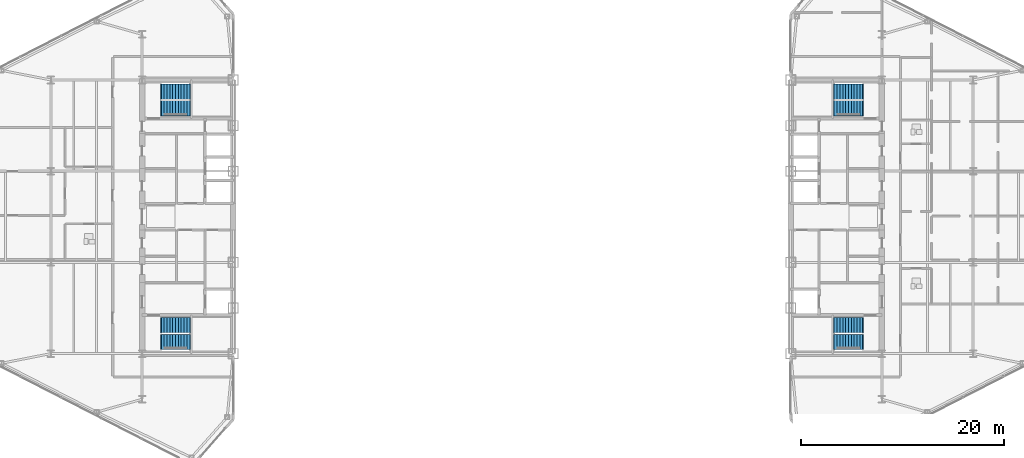
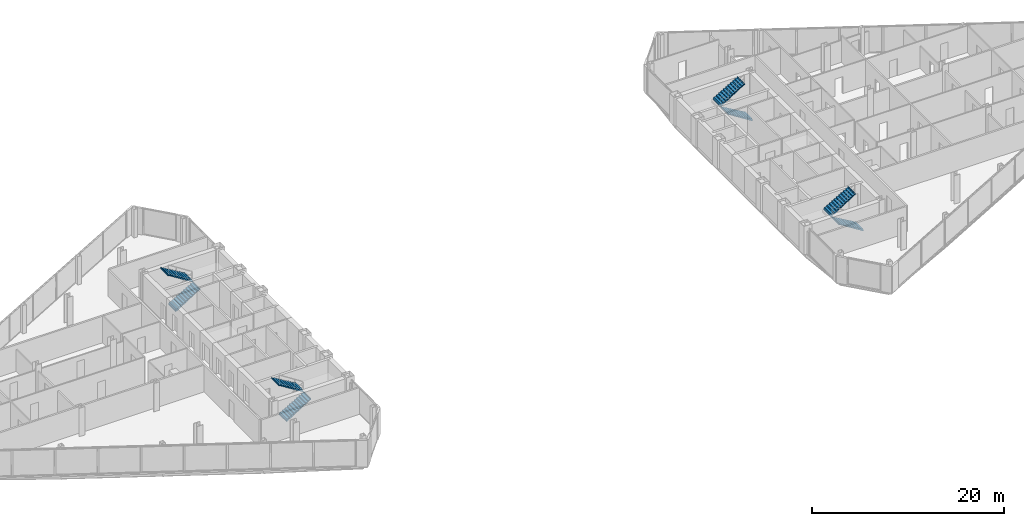
# One storey, part 20 of 22: 8 stair flights, 4 elements without a shape of their own.
"""IFC4 building model written with IfcOpenShell, lengths in metres."""

from ifc_helpers import new_model, si_unit, direction, frame, origin, place, context, subcontext, project, spatial, polyline, outline, extrude, material, type_object, element, aggregate, save


model = new_model("IFC4")

# Units and contexts
model_context = context("Model", 3, precision=1e-05, world=origin(), true_north=direction((0.0, 1.0)))
body_context = subcontext(model_context, "Body", "Model", "MODEL_VIEW")
ifc_project = project(units=[si_unit("LENGTHUNIT", "METRE"), si_unit("AREAUNIT", "SQUARE_METRE"), si_unit("VOLUMEUNIT", "CUBIC_METRE"), si_unit("PLANEANGLEUNIT", "RADIAN"), si_unit("MASSUNIT", "GRAM", prefix="KILO")], contexts=[model_context])

# Site, building, storey
site_placement = place(None, origin())
site = spatial("IfcSite", under=ifc_project, at=site_placement, CompositionType="ELEMENT")
building_placement = place(site_placement, origin())
building = spatial("IfcBuilding", under=site, at=building_placement, Name="Seokmaru Belvedere", CompositionType="ELEMENT")
storey_placement = place(building_placement, frame((0.0, 0.0, 151.199951171875)))
storey = spatial("IfcBuildingStorey", under=building, at=storey_placement, Name="L40", CompositionType="ELEMENT", Elevation=151.199951171875)

# Stair, stair flights
ifc_material = material(Name="Concrete C40 (40 MPa)", Category="concrete")
stair_type = type_object("IfcStairType", Name="Typical Tower Core Dog-Leg Stair 3600", PredefinedType="TWO_STRAIGHT_RUN_STAIR", material=ifc_material)
stair_1_placement = place(storey_placement, origin())
stair_1 = element("IfcStair", 1, at=stair_1_placement, inside=storey, type_object=stair_type, Name="L40 Special Escape Stair ST-W1", PredefinedType="TWO_STRAIGHT_RUN_STAIR")
stair_flight_type = type_object("IfcStairFlightType", Name="Reinforced Concrete Stair Flight 1500", PredefinedType="STRAIGHT", material=ifc_material)
stair_flight_1_placement = place(storey_placement, frame((-34.60009765625, -12.35009765625, 0.0), z_axis=(0.0, 0.0, 1.0), x_axis=(1.0, 0.0, 0.0)))
stair_flight_1 = element("IfcStairFlight", 2, at=stair_flight_1_placement, type_object=stair_flight_type, Name="ST-W1 flight 1", NumberOfRisers=11, NumberOfTreads=10, PredefinedType="STRAIGHT", RiserHeight=0.163636364, TreadLength=0.28, context=body_context, shape_type="SweptSolid", body=[
    extrude(outline(polyline([(-0.080078125, 0.0), (0.0, 0.16357421875), (0.280029296875, 0.16357421875), (0.280029296875, 0.327392578125), (0.56005859375, 0.327392578125), (0.56005859375, 0.490966796875), (0.840087890625, 0.490966796875), (0.840087890625, 0.654541015625), (1.1201171875, 0.654541015625), (1.1201171875, 0.818115234375), (1.39990234375, 0.818115234375), (1.39990234375, 0.98193359375), (1.679931640625, 0.98193359375), (1.679931640625, 1.1455078125), (1.9599609375, 1.1455078125), (1.9599609375, 1.30908203125), (2.239990234375, 1.30908203125), (2.239990234375, 1.47265625), (2.52001953125, 1.47265625), (2.52001953125, 1.636474609375), (2.800048828125, 1.636474609375), (2.800048828125, 1.800048828125), (2.8798828125, 1.800048828125), (2.8798828125, 1.610107421875), (2.800048828125, 1.610107421875), (0.0, -0.159912109375), (-0.080078125, -0.159912109375), (-0.080078125, 0.0)])), frame((0.0, 0.75, 0.0), z_axis=(0.0, -1.0, 0.0), x_axis=(1.0, 0.0, 0.0)), (0.0, 0.0, 1.0), 1.5),
])
stair_flight_2_placement = place(storey_placement, frame((-31.800048828125, -10.7099609375, 1.800048828125), z_axis=(0.0, 0.0, 1.0), x_axis=(-1.0, 0.0, 0.0)))
stair_flight_2 = element("IfcStairFlight", 3, at=stair_flight_2_placement, type_object=stair_flight_type, Name="ST-W1 flight 2", NumberOfRisers=11, NumberOfTreads=10, PredefinedType="STRAIGHT", RiserHeight=0.163636364, TreadLength=0.28, context=body_context, shape_type="SweptSolid", body=[
    extrude(outline(polyline([(-0.080078125, 0.0), (0.0, 0.16357421875), (0.280029296875, 0.16357421875), (0.280029296875, 0.327392578125), (0.56005859375, 0.327392578125), (0.56005859375, 0.490966796875), (0.840087890625, 0.490966796875), (0.840087890625, 0.654541015625), (1.1201171875, 0.654541015625), (1.1201171875, 0.818115234375), (1.39990234375, 0.818115234375), (1.39990234375, 0.98193359375), (1.679931640625, 0.98193359375), (1.679931640625, 1.1455078125), (1.9599609375, 1.1455078125), (1.9599609375, 1.30908203125), (2.239990234375, 1.30908203125), (2.239990234375, 1.47265625), (2.52001953125, 1.47265625), (2.52001953125, 1.636474609375), (2.800048828125, 1.636474609375), (2.800048828125, 1.800048828125), (2.8798828125, 1.800048828125), (2.8798828125, 1.610107421875), (2.800048828125, 1.610107421875), (0.0, -0.159912109375), (-0.080078125, -0.159912109375), (-0.080078125, 0.0)])), frame((0.0, 0.75, 0.0), z_axis=(0.0, -1.0, 0.0), x_axis=(1.0, 0.0, 0.0)), (0.0, 0.0, 1.0), 1.5),
])
aggregate(stair_1, [stair_flight_1, stair_flight_2])

stair_2_placement = place(storey_placement, origin())
stair_2 = element("IfcStair", 4, at=stair_2_placement, inside=storey, type_object=stair_type, Name="L40 Special Escape Stair ST-W2", PredefinedType="TWO_STRAIGHT_RUN_STAIR")
stair_flight_3_placement = place(storey_placement, frame((-34.60009765625, 10.7099609375, 0.0), z_axis=(0.0, 0.0, 1.0), x_axis=(1.0, 0.0, 0.0)))
stair_flight_3 = element("IfcStairFlight", 5, at=stair_flight_3_placement, type_object=stair_flight_type, Name="ST-W2 flight 1", NumberOfRisers=11, NumberOfTreads=10, PredefinedType="STRAIGHT", RiserHeight=0.163636364, TreadLength=0.28, context=body_context, shape_type="SweptSolid", body=[
    extrude(outline(polyline([(-0.080078125, 0.0), (0.0, 0.16357421875), (0.280029296875, 0.16357421875), (0.280029296875, 0.327392578125), (0.56005859375, 0.327392578125), (0.56005859375, 0.490966796875), (0.840087890625, 0.490966796875), (0.840087890625, 0.654541015625), (1.1201171875, 0.654541015625), (1.1201171875, 0.818115234375), (1.39990234375, 0.818115234375), (1.39990234375, 0.98193359375), (1.679931640625, 0.98193359375), (1.679931640625, 1.1455078125), (1.9599609375, 1.1455078125), (1.9599609375, 1.30908203125), (2.239990234375, 1.30908203125), (2.239990234375, 1.47265625), (2.52001953125, 1.47265625), (2.52001953125, 1.636474609375), (2.800048828125, 1.636474609375), (2.800048828125, 1.800048828125), (2.8798828125, 1.800048828125), (2.8798828125, 1.610107421875), (2.800048828125, 1.610107421875), (0.0, -0.159912109375), (-0.080078125, -0.159912109375), (-0.080078125, 0.0)])), frame((0.0, 0.75, 0.0), z_axis=(0.0, -1.0, 0.0), x_axis=(1.0, 0.0, 0.0)), (0.0, 0.0, 1.0), 1.5),
])
stair_flight_4_placement = place(storey_placement, frame((-31.800048828125, 12.35009765625, 1.800048828125), z_axis=(0.0, 0.0, 1.0), x_axis=(-1.0, 0.0, 0.0)))
stair_flight_4 = element("IfcStairFlight", 6, at=stair_flight_4_placement, type_object=stair_flight_type, Name="ST-W2 flight 2", NumberOfRisers=11, NumberOfTreads=10, PredefinedType="STRAIGHT", RiserHeight=0.163636364, TreadLength=0.28, context=body_context, shape_type="SweptSolid", body=[
    extrude(outline(polyline([(-0.080078125, 0.0), (0.0, 0.16357421875), (0.280029296875, 0.16357421875), (0.280029296875, 0.327392578125), (0.56005859375, 0.327392578125), (0.56005859375, 0.490966796875), (0.840087890625, 0.490966796875), (0.840087890625, 0.654541015625), (1.1201171875, 0.654541015625), (1.1201171875, 0.818115234375), (1.39990234375, 0.818115234375), (1.39990234375, 0.98193359375), (1.679931640625, 0.98193359375), (1.679931640625, 1.1455078125), (1.9599609375, 1.1455078125), (1.9599609375, 1.30908203125), (2.239990234375, 1.30908203125), (2.239990234375, 1.47265625), (2.52001953125, 1.47265625), (2.52001953125, 1.636474609375), (2.800048828125, 1.636474609375), (2.800048828125, 1.800048828125), (2.8798828125, 1.800048828125), (2.8798828125, 1.610107421875), (2.800048828125, 1.610107421875), (0.0, -0.159912109375), (-0.080078125, -0.159912109375), (-0.080078125, 0.0)])), frame((0.0, 0.75, 0.0), z_axis=(0.0, -1.0, 0.0), x_axis=(1.0, 0.0, 0.0)), (0.0, 0.0, 1.0), 1.5),
])
aggregate(stair_2, [stair_flight_3, stair_flight_4])

stair_3_placement = place(storey_placement, origin())
stair_3 = element("IfcStair", 7, at=stair_3_placement, inside=storey, type_object=stair_type, Name="L40 Special Escape Stair ST-E1", PredefinedType="TWO_STRAIGHT_RUN_STAIR")
stair_flight_5_placement = place(storey_placement, frame((34.60009765625, -12.35009765625, 0.0), z_axis=(0.0, 0.0, 1.0), x_axis=(-1.0, 0.0, 0.0)))
stair_flight_5 = element("IfcStairFlight", 8, at=stair_flight_5_placement, type_object=stair_flight_type, Name="ST-E1 flight 1", NumberOfRisers=11, NumberOfTreads=10, PredefinedType="STRAIGHT", RiserHeight=0.163636364, TreadLength=0.28, context=body_context, shape_type="SweptSolid", body=[
    extrude(outline(polyline([(-0.080078125, 0.0), (0.0, 0.16357421875), (0.280029296875, 0.16357421875), (0.280029296875, 0.327392578125), (0.56005859375, 0.327392578125), (0.56005859375, 0.490966796875), (0.840087890625, 0.490966796875), (0.840087890625, 0.654541015625), (1.1201171875, 0.654541015625), (1.1201171875, 0.818115234375), (1.39990234375, 0.818115234375), (1.39990234375, 0.98193359375), (1.679931640625, 0.98193359375), (1.679931640625, 1.1455078125), (1.9599609375, 1.1455078125), (1.9599609375, 1.30908203125), (2.239990234375, 1.30908203125), (2.239990234375, 1.47265625), (2.52001953125, 1.47265625), (2.52001953125, 1.636474609375), (2.800048828125, 1.636474609375), (2.800048828125, 1.800048828125), (2.8798828125, 1.800048828125), (2.8798828125, 1.610107421875), (2.800048828125, 1.610107421875), (0.0, -0.159912109375), (-0.080078125, -0.159912109375), (-0.080078125, 0.0)])), frame((0.0, 0.75, 0.0), z_axis=(0.0, -1.0, 0.0), x_axis=(1.0, 0.0, 0.0)), (0.0, 0.0, 1.0), 1.5),
])
stair_flight_6_placement = place(storey_placement, frame((31.800048828125, -10.7099609375, 1.800048828125), z_axis=(0.0, 0.0, 1.0), x_axis=(1.0, 0.0, 0.0)))
stair_flight_6 = element("IfcStairFlight", 9, at=stair_flight_6_placement, type_object=stair_flight_type, Name="ST-E1 flight 2", NumberOfRisers=11, NumberOfTreads=10, PredefinedType="STRAIGHT", RiserHeight=0.163636364, TreadLength=0.28, context=body_context, shape_type="SweptSolid", body=[
    extrude(outline(polyline([(-0.080078125, 0.0), (0.0, 0.16357421875), (0.280029296875, 0.16357421875), (0.280029296875, 0.327392578125), (0.56005859375, 0.327392578125), (0.56005859375, 0.490966796875), (0.840087890625, 0.490966796875), (0.840087890625, 0.654541015625), (1.1201171875, 0.654541015625), (1.1201171875, 0.818115234375), (1.39990234375, 0.818115234375), (1.39990234375, 0.98193359375), (1.679931640625, 0.98193359375), (1.679931640625, 1.1455078125), (1.9599609375, 1.1455078125), (1.9599609375, 1.30908203125), (2.239990234375, 1.30908203125), (2.239990234375, 1.47265625), (2.52001953125, 1.47265625), (2.52001953125, 1.636474609375), (2.800048828125, 1.636474609375), (2.800048828125, 1.800048828125), (2.8798828125, 1.800048828125), (2.8798828125, 1.610107421875), (2.800048828125, 1.610107421875), (0.0, -0.159912109375), (-0.080078125, -0.159912109375), (-0.080078125, 0.0)])), frame((0.0, 0.75, 0.0), z_axis=(0.0, -1.0, 0.0), x_axis=(1.0, 0.0, 0.0)), (0.0, 0.0, 1.0), 1.5),
])
aggregate(stair_3, [stair_flight_5, stair_flight_6])

stair_4_placement = place(storey_placement, origin())
stair_4 = element("IfcStair", 10, at=stair_4_placement, inside=storey, type_object=stair_type, Name="L40 Special Escape Stair ST-E2", PredefinedType="TWO_STRAIGHT_RUN_STAIR")
stair_flight_7_placement = place(storey_placement, frame((34.60009765625, 10.7099609375, 0.0), z_axis=(0.0, 0.0, 1.0), x_axis=(-1.0, 0.0, 0.0)))
stair_flight_7 = element("IfcStairFlight", 11, at=stair_flight_7_placement, type_object=stair_flight_type, Name="ST-E2 flight 1", NumberOfRisers=11, NumberOfTreads=10, PredefinedType="STRAIGHT", RiserHeight=0.163636364, TreadLength=0.28, context=body_context, shape_type="SweptSolid", body=[
    extrude(outline(polyline([(-0.080078125, 0.0), (0.0, 0.16357421875), (0.280029296875, 0.16357421875), (0.280029296875, 0.327392578125), (0.56005859375, 0.327392578125), (0.56005859375, 0.490966796875), (0.840087890625, 0.490966796875), (0.840087890625, 0.654541015625), (1.1201171875, 0.654541015625), (1.1201171875, 0.818115234375), (1.39990234375, 0.818115234375), (1.39990234375, 0.98193359375), (1.679931640625, 0.98193359375), (1.679931640625, 1.1455078125), (1.9599609375, 1.1455078125), (1.9599609375, 1.30908203125), (2.239990234375, 1.30908203125), (2.239990234375, 1.47265625), (2.52001953125, 1.47265625), (2.52001953125, 1.636474609375), (2.800048828125, 1.636474609375), (2.800048828125, 1.800048828125), (2.8798828125, 1.800048828125), (2.8798828125, 1.610107421875), (2.800048828125, 1.610107421875), (0.0, -0.159912109375), (-0.080078125, -0.159912109375), (-0.080078125, 0.0)])), frame((0.0, 0.75, 0.0), z_axis=(0.0, -1.0, 0.0), x_axis=(1.0, 0.0, 0.0)), (0.0, 0.0, 1.0), 1.5),
])
stair_flight_8_placement = place(storey_placement, frame((31.800048828125, 12.35009765625, 1.800048828125), z_axis=(0.0, 0.0, 1.0), x_axis=(1.0, 0.0, 0.0)))
stair_flight_8 = element("IfcStairFlight", 12, at=stair_flight_8_placement, type_object=stair_flight_type, Name="ST-E2 flight 2", NumberOfRisers=11, NumberOfTreads=10, PredefinedType="STRAIGHT", RiserHeight=0.163636364, TreadLength=0.28, context=body_context, shape_type="SweptSolid", body=[
    extrude(outline(polyline([(-0.080078125, 0.0), (0.0, 0.16357421875), (0.280029296875, 0.16357421875), (0.280029296875, 0.327392578125), (0.56005859375, 0.327392578125), (0.56005859375, 0.490966796875), (0.840087890625, 0.490966796875), (0.840087890625, 0.654541015625), (1.1201171875, 0.654541015625), (1.1201171875, 0.818115234375), (1.39990234375, 0.818115234375), (1.39990234375, 0.98193359375), (1.679931640625, 0.98193359375), (1.679931640625, 1.1455078125), (1.9599609375, 1.1455078125), (1.9599609375, 1.30908203125), (2.239990234375, 1.30908203125), (2.239990234375, 1.47265625), (2.52001953125, 1.47265625), (2.52001953125, 1.636474609375), (2.800048828125, 1.636474609375), (2.800048828125, 1.800048828125), (2.8798828125, 1.800048828125), (2.8798828125, 1.610107421875), (2.800048828125, 1.610107421875), (0.0, -0.159912109375), (-0.080078125, -0.159912109375), (-0.080078125, 0.0)])), frame((0.0, 0.75, 0.0), z_axis=(0.0, -1.0, 0.0), x_axis=(1.0, 0.0, 0.0)), (0.0, 0.0, 1.0), 1.5),
])
aggregate(stair_4, [stair_flight_7, stair_flight_8])

save(model, "model.ifc")
